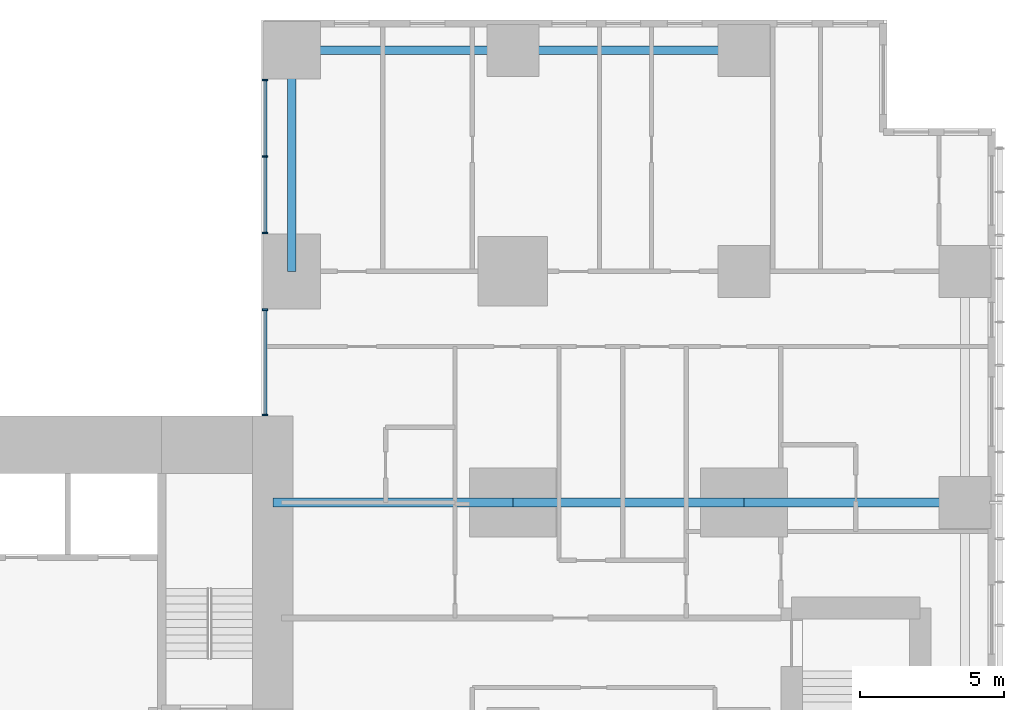
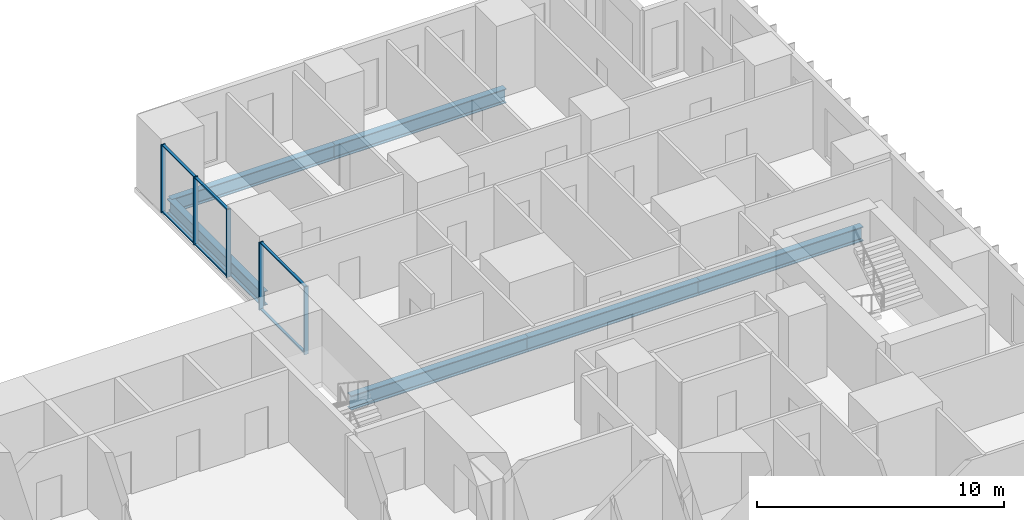
# One storey, part 5 of 16: 11 members, 6 beams, 2 elements without a shape of their own.
"""IFC4 building model written with IfcOpenShell, lengths in metres."""

from ifc_helpers import new_model, si_unit, direction, frame, origin, origin_2d, place, context, subcontext, project, spatial, rectangle, i_section, extrude, material, layer, layer_set, material_profile, profile_set, type_object, element, aggregate, save


model = new_model("IFC4")

# Units and contexts
model_context = context("Model", 3, precision=1e-05, world=origin(), true_north=direction((0.0, 1.0)))
body_context = subcontext(model_context, "Body", "Model", "MODEL_VIEW")
ifc_project = project(units=[si_unit("LENGTHUNIT", "METRE"), si_unit("AREAUNIT", "SQUARE_METRE"), si_unit("VOLUMEUNIT", "CUBIC_METRE"), si_unit("PLANEANGLEUNIT", "RADIAN"), si_unit("MASSUNIT", "GRAM", prefix="KILO")], contexts=[model_context])

# Site, building, storey
site_placement = place(None, origin())
site = spatial("IfcSite", under=ifc_project, at=site_placement, CompositionType="ELEMENT")
building_placement = place(site_placement, origin())
building = spatial("IfcBuilding", under=site, at=building_placement, Name="Cleftline Residences", CompositionType="ELEMENT")
storey_placement = place(building_placement, frame((0.0, 0.0, 218.199951171875)))
storey = spatial("IfcBuildingStorey", under=building, at=storey_placement, Name="L57", CompositionType="ELEMENT", Elevation=218.199951171875)

# Beams
ifc_material_1 = material(Name="Steel S355", Category="steel")
ifc_material_profile_1 = material_profile(ifc_material_1, i_section(OverallWidth=0.300048828125, OverallDepth=0.699951171875, WebThickness=0.01708984375, FlangeThickness=0.031982421875, FilletRadius=0.027099609375, at=origin_2d()))
ifc_profile_set_1 = profile_set([ifc_material_profile_1], Name="Steel S355")
beam_type_1 = type_object("IfcBeamType", Name="BEAM HEB 700", PredefinedType="BEAM", material=ifc_profile_set_1)
beam_1_placement = place(storey_placement, frame((58.0, 47.64990234375, -0.599853515625), z_axis=(-1.0, 0.0, 0.0), x_axis=(0.0, -1.0, 0.0)))
element("IfcBeam", 1, at=beam_1_placement, inside=storey, type_object=beam_type_1, Name="Edge beam", PredefinedType="BEAM", context=body_context, shape_type="SweptSolid", body=[
    extrude(i_section(OverallWidth=0.300048828125, OverallDepth=0.699951171875, WebThickness=0.01708984375, FlangeThickness=0.031982421875, FilletRadius=0.027099609375, at=origin_2d()), origin(), (0.0, 0.0, 1.0), 8.0),
])
for number, where, z_axis, x_axis, name in (
    (2, (50.0, 47.64990234375, -0.599853515625), (-1.0, 0.0, 0.0), (0.0, -1.0, 0.0), "Edge beam"),
    (3, (42.35009765625, 47.64990234375, -0.599853515625), (0.0, -1.0, 0.0), (1.0, 0.0, 0.0), "Edge beam"),
):
    element("IfcBeam", number, at=place(storey_placement, frame(where, z_axis=z_axis, x_axis=x_axis)), inside=storey, type_object=beam_type_1, Name=name, PredefinedType="BEAM", context=body_context, shape_type="SweptSolid", body=[
        extrude(i_section(OverallWidth=0.300048828125, OverallDepth=0.699951171875, WebThickness=0.01708984375, FlangeThickness=0.031982421875, FilletRadius=0.027099609375, at=origin_2d()), origin(), (0.0, 0.0, 1.0), 7.64990234375),
    ])
ifc_material_2 = material(Name="Steel S355", Category="steel")
ifc_material_profile_2 = material_profile(ifc_material_2, i_section(OverallWidth=0.303955078125, OverallDepth=0.716064453125, WebThickness=0.02099609375, FlangeThickness=0.0400390625, FilletRadius=0.027099609375, at=origin_2d()))
ifc_profile_set_2 = profile_set([ifc_material_profile_2], Name="Steel S355")
beam_type_2 = type_object("IfcBeamType", Name="BEAM HEM 700", PredefinedType="BEAM", material=ifc_profile_set_2)
beam_2_placement = place(storey_placement, frame((65.64990234375, 32.0, -0.60791015625), z_axis=(-1.0, 0.0, 0.0), x_axis=(0.0, -1.0, 0.0)))
element("IfcBeam", 4, at=beam_2_placement, inside=storey, type_object=beam_type_2, Name="Band beam", PredefinedType="BEAM", context=body_context, shape_type="SweptSolid", body=[
    extrude(i_section(OverallWidth=0.303955078125, OverallDepth=0.716064453125, WebThickness=0.02099609375, FlangeThickness=0.0400390625, FilletRadius=0.027099609375, at=origin_2d()), origin(), (0.0, 0.0, 1.0), 7.64990234375),
])
beam_3_placement = place(storey_placement, frame((58.0, 32.0, -0.60791015625), z_axis=(-1.0, 0.0, 0.0), x_axis=(0.0, -1.0, 0.0)))
element("IfcBeam", 5, at=beam_3_placement, inside=storey, type_object=beam_type_2, Name="Band beam", PredefinedType="BEAM", context=body_context, shape_type="SweptSolid", body=[
    extrude(i_section(OverallWidth=0.303955078125, OverallDepth=0.716064453125, WebThickness=0.02099609375, FlangeThickness=0.0400390625, FilletRadius=0.027099609375, at=origin_2d()), origin(), (0.0, 0.0, 1.0), 8.0),
])
beam_4_placement = place(storey_placement, frame((50.0, 32.0, -0.60791015625), z_axis=(-1.0, 0.0, 0.0), x_axis=(0.0, -1.0, 0.0)))
element("IfcBeam", 6, at=beam_4_placement, inside=storey, type_object=beam_type_2, Name="Band beam", PredefinedType="BEAM", context=body_context, shape_type="SweptSolid", body=[
    extrude(i_section(OverallWidth=0.303955078125, OverallDepth=0.716064453125, WebThickness=0.02099609375, FlangeThickness=0.0400390625, FilletRadius=0.027099609375, at=origin_2d()), origin(), (0.0, 0.0, 1.0), 8.300048828125),
])

# Curtain wall, members
ifc_material_3 = material(Name="Aluminium framed curtain wall", Category="aluminium")
ifc_layer = layer(ifc_material_3, 0.199951171875)
ifc_layer_set = layer_set([ifc_layer], Name="CW1 CLEFT GLAZING")
curtain_wall_type = type_object("IfcCurtainWallType", Name="CW1 CLEFT GLAZING", PredefinedType="NOTDEFINED", material=ifc_layer_set)
curtain_wall_1_placement = place(storey_placement, origin())
curtain_wall_1 = element("IfcCurtainWall", 7, at=curtain_wall_1_placement, inside=storey, type_object=curtain_wall_type, Name="Curtain wall CW1", PredefinedType="NOTDEFINED")
ifc_material_4 = material(Name="Aluminium mullion", Category="aluminium")
ifc_material_profile_3 = material_profile(ifc_material_4, rectangle(XDim=0.199951171875, YDim=0.06005859375, at=origin_2d()))
ifc_profile_set_3 = profile_set([ifc_material_profile_3], Name="Aluminium mullion")
member_type_1 = type_object("IfcMemberType", Name="CW1 MULLION", PredefinedType="MULLION", material=ifc_profile_set_3)
member_1_placement = place(storey_placement, frame((41.425048828125, 46.6201171875, 0.0), z_axis=(0.0, 0.0, 1.0), x_axis=(1.0, 0.0, 0.0)))
member_1 = element("IfcMember", 8, at=member_1_placement, type_object=member_type_1, Name="CW1 mullion 1", PredefinedType="MULLION", context=body_context, shape_type="SweptSolid", body=[
    extrude(rectangle(XDim=0.199951171875, YDim=0.06005859375, at=origin_2d()), origin(), (0.0, 0.0, 1.0), 3.35009765625),
])
member_2_placement = place(storey_placement, frame((41.425048828125, 43.97509765625, 0.0), z_axis=(0.0, 0.0, 1.0), x_axis=(1.0, 0.0, 0.0)))
member_2 = element("IfcMember", 9, at=member_2_placement, type_object=member_type_1, Name="CW1 mullion 2", PredefinedType="MULLION", context=body_context, shape_type="SweptSolid", body=[
    extrude(rectangle(XDim=0.199951171875, YDim=0.06005859375, at=origin_2d()), origin(), (0.0, 0.0, 1.0), 3.35009765625),
])
member_3_placement = place(storey_placement, frame((41.425048828125, 41.330078125, 0.0), z_axis=(0.0, 0.0, 1.0), x_axis=(1.0, 0.0, 0.0)))
member_3 = element("IfcMember", 10, at=member_3_placement, type_object=member_type_1, Name="CW1 mullion 3", PredefinedType="MULLION", context=body_context, shape_type="SweptSolid", body=[
    extrude(rectangle(XDim=0.199951171875, YDim=0.06005859375, at=origin_2d()), origin(), (0.0, 0.0, 1.0), 3.35009765625),
])

curtain_wall_2_placement = place(storey_placement, origin())
curtain_wall_2 = element("IfcCurtainWall", 11, at=curtain_wall_2_placement, inside=storey, type_object=curtain_wall_type, Name="Curtain wall CW1", PredefinedType="NOTDEFINED")
member_4_placement = place(storey_placement, frame((41.425048828125, 38.669921875, 0.0), z_axis=(0.0, 0.0, 1.0), x_axis=(1.0, 0.0, 0.0)))
member_4 = element("IfcMember", 12, at=member_4_placement, type_object=member_type_1, Name="CW1 mullion 1", PredefinedType="MULLION", context=body_context, shape_type="SweptSolid", body=[
    extrude(rectangle(XDim=0.199951171875, YDim=0.06005859375, at=origin_2d()), origin(), (0.0, 0.0, 1.0), 3.35009765625),
])
member_5_placement = place(storey_placement, frame((41.425048828125, 35.030029296875, 0.0), z_axis=(0.0, 0.0, 1.0), x_axis=(1.0, 0.0, 0.0)))
member_5 = element("IfcMember", 13, at=member_5_placement, type_object=member_type_1, Name="CW1 mullion 2", PredefinedType="MULLION", context=body_context, shape_type="SweptSolid", body=[
    extrude(rectangle(XDim=0.199951171875, YDim=0.06005859375, at=origin_2d()), origin(), (0.0, 0.0, 1.0), 3.35009765625),
])

# Member
ifc_material_5 = material(Name="Aluminium transom", Category="aluminium")
ifc_material_profile_4 = material_profile(ifc_material_5, rectangle(XDim=0.1201171875, YDim=0.06005859375, at=origin_2d()))
ifc_profile_set_4 = profile_set([ifc_material_profile_4], Name="Aluminium transom")
member_type_2 = type_object("IfcMemberType", Name="CW1 TRANSOM", PredefinedType="USERDEFINED", material=ifc_profile_set_4)
member_6_placement = place(storey_placement, frame((41.425048828125, 46.590087890625, 0.030029296875), z_axis=(0.0, -1.0, 0.0), x_axis=(1.0, 0.0, 0.0)))
member_6 = element("IfcMember", 14, at=member_6_placement, type_object=member_type_2, Name="CW1 transom 1.1", ObjectType="TRANSOM", PredefinedType="USERDEFINED", context=body_context, shape_type="SweptSolid", body=[
    extrude(rectangle(XDim=0.1201171875, YDim=0.06005859375, at=origin_2d()), origin(), (0.0, 0.0, 1.0), 2.585205078125),
])

member_7_placement = place(storey_placement, frame((41.425048828125, 46.590087890625, 3.320068359375), z_axis=(0.0, -1.0, 0.0), x_axis=(1.0, 0.0, 0.0)))
member_7 = element("IfcMember", 15, at=member_7_placement, type_object=member_type_2, Name="CW1 transom 1.2", ObjectType="TRANSOM", PredefinedType="USERDEFINED", context=body_context, shape_type="SweptSolid", body=[
    extrude(rectangle(XDim=0.1201171875, YDim=0.06005859375, at=origin_2d()), origin(), (0.0, 0.0, 1.0), 2.585205078125),
])

member_8_placement = place(storey_placement, frame((41.425048828125, 43.945068359375, 0.030029296875), z_axis=(0.0, -1.0, 0.0), x_axis=(1.0, 0.0, 0.0)))
member_8 = element("IfcMember", 16, at=member_8_placement, type_object=member_type_2, Name="CW1 transom 2.1", ObjectType="TRANSOM", PredefinedType="USERDEFINED", context=body_context, shape_type="SweptSolid", body=[
    extrude(rectangle(XDim=0.1201171875, YDim=0.06005859375, at=origin_2d()), origin(), (0.0, 0.0, 1.0), 2.5849609375),
])

member_9_placement = place(storey_placement, frame((41.425048828125, 43.945068359375, 3.320068359375), z_axis=(0.0, -1.0, 0.0), x_axis=(1.0, 0.0, 0.0)))
member_9 = element("IfcMember", 17, at=member_9_placement, type_object=member_type_2, Name="CW1 transom 2.2", ObjectType="TRANSOM", PredefinedType="USERDEFINED", context=body_context, shape_type="SweptSolid", body=[
    extrude(rectangle(XDim=0.1201171875, YDim=0.06005859375, at=origin_2d()), origin(), (0.0, 0.0, 1.0), 2.5849609375),
])

aggregate(curtain_wall_1, [member_1, member_2, member_3, member_6, member_7, member_8, member_9])

member_10_placement = place(storey_placement, frame((41.425048828125, 38.639892578125, 0.030029296875), z_axis=(0.0, -1.0, 0.0), x_axis=(1.0, 0.0, 0.0)))
member_10 = element("IfcMember", 18, at=member_10_placement, type_object=member_type_2, Name="CW1 transom 1.1", ObjectType="TRANSOM", PredefinedType="USERDEFINED", context=body_context, shape_type="SweptSolid", body=[
    extrude(rectangle(XDim=0.1201171875, YDim=0.06005859375, at=origin_2d()), origin(), (0.0, 0.0, 1.0), 3.579833984375),
])

member_11_placement = place(storey_placement, frame((41.425048828125, 38.639892578125, 3.320068359375), z_axis=(0.0, -1.0, 0.0), x_axis=(1.0, 0.0, 0.0)))
member_11 = element("IfcMember", 19, at=member_11_placement, type_object=member_type_2, Name="CW1 transom 1.2", ObjectType="TRANSOM", PredefinedType="USERDEFINED", context=body_context, shape_type="SweptSolid", body=[
    extrude(rectangle(XDim=0.1201171875, YDim=0.06005859375, at=origin_2d()), origin(), (0.0, 0.0, 1.0), 3.579833984375),
])

aggregate(curtain_wall_2, [member_4, member_5, member_10, member_11])

save(model, "model.ifc")
